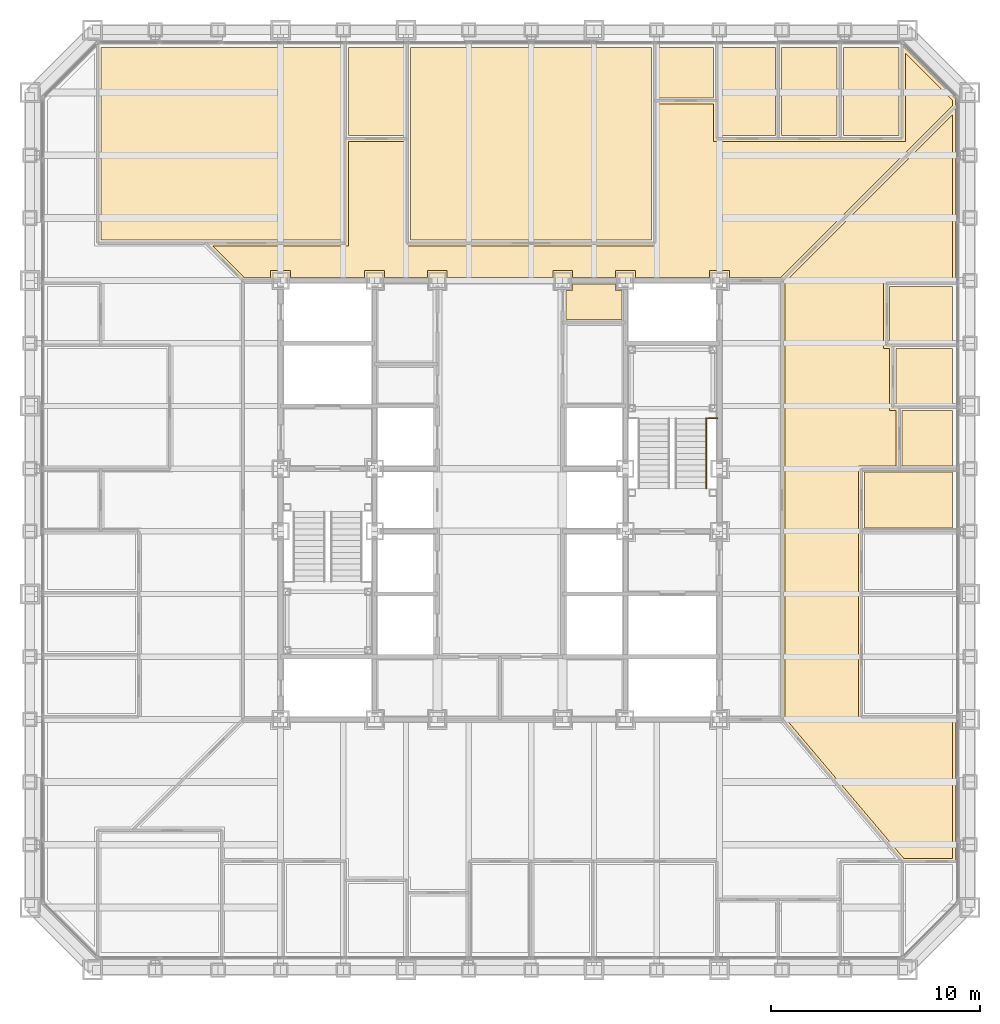
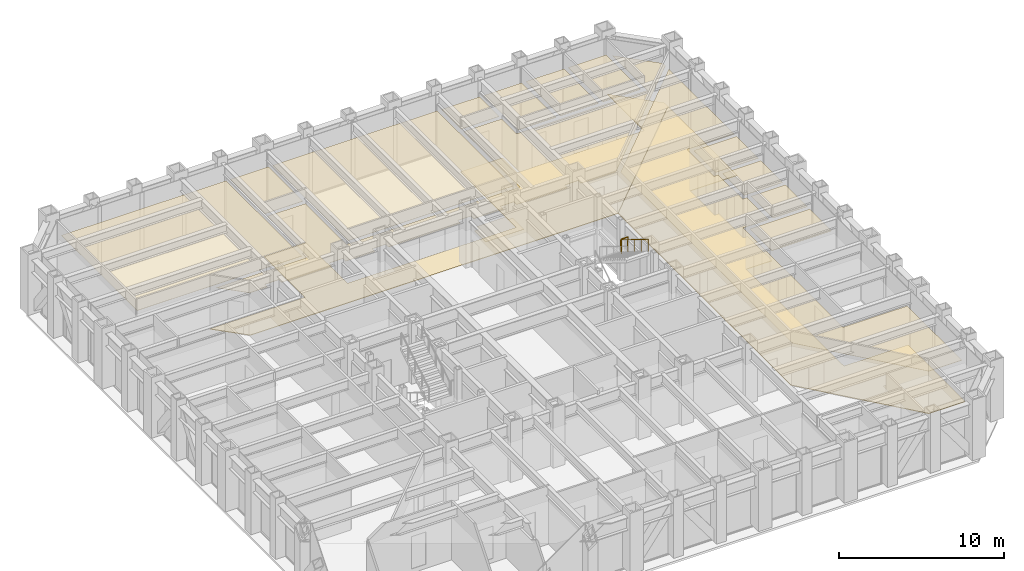
# One storey, part 16 of 16: 16 coverings, 2 railings.
"""IFC4 building model written with IfcOpenShell, lengths in metres."""

from ifc_helpers import new_model, si_unit, direction, frame, origin, origin_2d, place, context, subcontext, project, spatial, polyline, circle, outline, extrude, material, layer, layer_set, type_object, element, save


model = new_model("IFC4")

# Units and contexts
model_context = context("Model", 3, precision=1e-05, world=origin(), true_north=direction((0.0, 1.0)))
body_context = subcontext(model_context, "Body", "Model", "MODEL_VIEW")
ifc_project = project(units=[si_unit("LENGTHUNIT", "METRE"), si_unit("AREAUNIT", "SQUARE_METRE"), si_unit("VOLUMEUNIT", "CUBIC_METRE"), si_unit("PLANEANGLEUNIT", "RADIAN"), si_unit("MASSUNIT", "GRAM", prefix="KILO")], contexts=[model_context])

# Site, building, storey
site_placement = place(None, origin())
site = spatial("IfcSite", under=ifc_project, at=site_placement, CompositionType="ELEMENT")
building_placement = place(site_placement, origin())
building = spatial("IfcBuilding", under=site, at=building_placement, Name="Chuquiago Exchange Tower", CompositionType="ELEMENT")
storey_placement = place(building_placement, frame((0.0, 0.0, 28.800048828125)))
storey = spatial("IfcBuildingStorey", under=building, at=storey_placement, Name="L05", CompositionType="ELEMENT", Elevation=28.800048828125)

# Coverings
ifc_material_1 = material(Name="Mineral fibre tile, 600 x 600, on pale metal grid", Category="mineral fibre")
ifc_layer_1 = layer(ifc_material_1, 0.02001953125)
ifc_layer_set_1 = layer_set([ifc_layer_1], Name="CL1 suspended tile ceiling 20")
covering_type_1 = type_object("IfcCoveringType", Name="CL1 suspended tile ceiling 20", PredefinedType="CEILING", material=ifc_layer_set_1)
covering_1_placement = place(storey_placement, frame((0.0, 0.0, 3.0)))
element("IfcCovering", 1, at=covering_1_placement, inside=storey, type_object=covering_type_1, Name="Ceiling Office", PredefinedType="CEILING", context=body_context, shape_type="SweptSolid", body=[
    extrude(outline(polyline([(39.949951171875, 21.169189453125), (39.949951171875, 23.830810546875), (44.14990234375, 23.830810546875), (44.14990234375, 21.169189453125), (39.949951171875, 21.169189453125)])), origin(), (0.0, 0.0, 1.0), 0.02001953125),
])
covering_2_placement = place(storey_placement, frame((0.0, 0.0, 3.0)))
element("IfcCovering", 2, at=covering_2_placement, inside=storey, type_object=covering_type_1, Name="Ceiling Focus room", PredefinedType="CEILING", context=body_context, shape_type="SweptSolid", body=[
    extrude(outline(polyline([(41.75, 24.130859375), (41.75, 26.79248046875), (44.14990234375, 26.79248046875), (44.14990234375, 24.130859375), (41.75, 24.130859375)])), origin(), (0.0, 0.0, 1.0), 0.02001953125),
])
covering_3_placement = place(storey_placement, frame((0.0, 0.0, 3.0)))
element("IfcCovering", 3, at=covering_3_placement, inside=storey, type_object=covering_type_1, Name="Ceiling Store", PredefinedType="CEILING", context=body_context, shape_type="SweptSolid", body=[
    extrude(outline(polyline([(41.449951171875, 27.092529296875), (41.449951171875, 29.75439453125), (44.14990234375, 29.75439453125), (44.14990234375, 27.092529296875), (41.449951171875, 27.092529296875)])), origin(), (0.0, 0.0, 1.0), 0.02001953125),
])
covering_4_placement = place(storey_placement, frame((0.0, 0.0, 3.0)))
element("IfcCovering", 4, at=covering_4_placement, inside=storey, type_object=covering_type_1, Name="Ceiling Pantry", PredefinedType="CEILING", context=body_context, shape_type="SweptSolid", body=[
    extrude(outline(polyline([(41.14990234375, 30.054443359375), (41.14990234375, 32.71630859375), (44.14990234375, 32.71630859375), (44.14990234375, 30.054443359375), (41.14990234375, 30.054443359375)])), origin(), (0.0, 0.0, 1.0), 0.02001953125),
])
covering_5_placement = place(storey_placement, frame((0.0, 0.0, 3.0)))
element("IfcCovering", 5, at=covering_5_placement, inside=storey, type_object=covering_type_1, Name="Ceiling Trading room", PredefinedType="CEILING", context=body_context, shape_type="SweptSolid", body=[
    extrude(outline(polyline([(14.945556640625, 44.14990234375), (14.945556640625, 34.949951171875), (3.3984375, 34.949951171875), (3.3984375, 44.14990234375), (14.945556640625, 44.14990234375)])), origin(), (0.0, 0.0, 1.0), 0.02001953125),
])
covering_6_placement = place(storey_placement, frame((0.0, 0.0, 3.0)))
element("IfcCovering", 6, at=covering_6_placement, inside=storey, type_object=covering_type_1, Name="Ceiling Office", PredefinedType="CEILING", context=body_context, shape_type="SweptSolid", body=[
    extrude(outline(polyline([(17.907470703125, 39.949951171875), (15.24560546875, 39.949951171875), (15.24560546875, 44.14990234375), (17.907470703125, 44.14990234375), (17.907470703125, 39.949951171875)])), origin(), (0.0, 0.0, 1.0), 0.02001953125),
])
covering_7_placement = place(storey_placement, frame((0.0, 0.0, 3.0)))
element("IfcCovering", 7, at=covering_7_placement, inside=storey, type_object=covering_type_1, Name="Ceiling Trading room", PredefinedType="CEILING", context=body_context, shape_type="SweptSolid", body=[
    extrude(outline(polyline([(29.75439453125, 34.949951171875), (18.20751953125, 34.949951171875), (18.20751953125, 44.14990234375), (29.75439453125, 44.14990234375), (29.75439453125, 34.949951171875)])), origin(), (0.0, 0.0, 1.0), 0.02001953125),
])
covering_8_placement = place(storey_placement, frame((0.0, 0.0, 3.0)))
element("IfcCovering", 8, at=covering_8_placement, inside=storey, type_object=covering_type_1, Name="Ceiling Focus room", PredefinedType="CEILING", context=body_context, shape_type="SweptSolid", body=[
    extrude(outline(polyline([(32.71630859375, 41.75), (30.054443359375, 41.75), (30.054443359375, 44.14990234375), (32.71630859375, 44.14990234375), (32.71630859375, 41.75)])), origin(), (0.0, 0.0, 1.0), 0.02001953125),
])
covering_9_placement = place(storey_placement, frame((0.0, 0.0, 3.0)))
element("IfcCovering", 9, at=covering_9_placement, inside=storey, type_object=covering_type_1, Name="Ceiling Office", PredefinedType="CEILING", context=body_context, shape_type="SweptSolid", body=[
    extrude(outline(polyline([(35.677978515625, 39.949951171875), (33.01611328125, 39.949951171875), (33.01611328125, 44.14990234375), (35.677978515625, 44.14990234375), (35.677978515625, 39.949951171875)])), origin(), (0.0, 0.0, 1.0), 0.02001953125),
])
covering_10_placement = place(storey_placement, frame((0.0, 0.0, 3.0)))
element("IfcCovering", 10, at=covering_10_placement, inside=storey, type_object=covering_type_1, Name="Ceiling Office", PredefinedType="CEILING", context=body_context, shape_type="SweptSolid", body=[
    extrude(outline(polyline([(38.6396484375, 39.949951171875), (35.977783203125, 39.949951171875), (35.977783203125, 44.14990234375), (38.6396484375, 44.14990234375), (38.6396484375, 39.949951171875)])), origin(), (0.0, 0.0, 1.0), 0.02001953125),
])
covering_11_placement = place(storey_placement, frame((0.0, 0.0, 3.0)))
element("IfcCovering", 11, at=covering_11_placement, inside=storey, type_object=covering_type_1, Name="Ceiling Meeting room", PredefinedType="CEILING", context=body_context, shape_type="SweptSolid", body=[
    extrude(outline(polyline([(41.6015625, 39.949951171875), (38.939697265625, 39.949951171875), (38.939697265625, 44.14990234375), (41.6015625, 44.14990234375), (41.6015625, 39.949951171875)])), origin(), (0.0, 0.0, 1.0), 0.02001953125),
])
covering_12_placement = place(storey_placement, frame((0.0, 0.0, 3.0)))
element("IfcCovering", 12, at=covering_12_placement, inside=storey, type_object=covering_type_1, Name="Ceiling Trading floor north", PredefinedType="CEILING", context=body_context, shape_type="SweptSolid", body=[
    extrude(outline(polyline([(15.24560546875, 39.64990234375), (17.907470703125, 39.64990234375), (17.907470703125, 34.64990234375), (30.054443359375, 34.64990234375), (30.054443359375, 41.449951171875), (32.71630859375, 41.449951171875), (32.71630859375, 39.64990234375), (41.901611328125, 39.64990234375), (41.901611328125, 43.896484375), (44.14990234375, 41.64794921875), (44.14990234375, 41.36279296875), (35.9375, 33.14990234375), (33.47509765625, 33.14990234375), (33.47509765625, 33.47509765625), (32.52490234375, 33.47509765625), (32.52490234375, 33.14990234375), (28.97509765625, 33.14990234375), (28.97509765625, 33.47509765625), (28.02490234375, 33.47509765625), (28.02490234375, 33.14990234375), (25.97509765625, 33.14990234375), (25.97509765625, 33.47509765625), (25.02490234375, 33.47509765625), (25.02490234375, 33.14990234375), (19.97509765625, 33.14990234375), (19.97509765625, 33.47509765625), (19.02490234375, 33.47509765625), (19.02490234375, 33.14990234375), (16.97509765625, 33.14990234375), (16.97509765625, 33.47509765625), (16.02490234375, 33.47509765625), (16.02490234375, 33.14990234375), (12.47509765625, 33.14990234375), (12.47509765625, 33.47509765625), (11.52490234375, 33.47509765625), (11.52490234375, 33.14990234375), (10.2626953125, 33.14990234375), (8.7626953125, 34.64990234375), (15.24560546875, 34.64990234375), (15.24560546875, 39.64990234375)])), origin(), (0.0, 0.0, 1.0), 0.02001953125),
])
covering_13_placement = place(storey_placement, frame((0.0, 0.0, 3.0)))
element("IfcCovering", 13, at=covering_13_placement, inside=storey, type_object=covering_type_1, Name="Ceiling Trading floor east", PredefinedType="CEILING", context=body_context, shape_type="SweptSolid", body=[
    extrude(outline(polyline([(40.85009765625, 33.01611328125), (40.85009765625, 29.75439453125), (41.14990234375, 29.75439453125), (41.14990234375, 26.79248046875), (41.449951171875, 26.79248046875), (41.449951171875, 24.130859375), (39.64990234375, 24.130859375), (39.64990234375, 11.98388671875), (44.14990234375, 11.98388671875), (44.14990234375, 5.35009765625), (41.821533203125, 5.35009765625), (36.14990234375, 12.055419921875), (36.14990234375, 32.9375), (44.14990234375, 40.937255859375), (44.14990234375, 33.01611328125), (40.85009765625, 33.01611328125)])), origin(), (0.0, 0.0, 1.0), 0.02001953125),
])
ifc_material_2 = material(Name="Moisture resistant plasterboard on metal frame", Category="gypsum")
ifc_layer_2 = layer(ifc_material_2, 0.014892578125)
ifc_layer_set_2 = layer_set([ifc_layer_2], Name="CL2 moisture resistant ceiling 15")
covering_type_2 = type_object("IfcCoveringType", Name="CL2 moisture resistant ceiling 15", PredefinedType="CEILING", material=ifc_layer_set_2)
covering_14_placement = place(storey_placement, frame((0.0, 0.0, 2.599853515625)))
element("IfcCovering", 14, at=covering_14_placement, inside=storey, type_object=covering_type_2, Name="Ceiling Staff shower room", PredefinedType="CEILING", context=body_context, shape_type="SweptSolid", body=[
    extrude(outline(polyline([(25.64990234375, 31.14990234375), (25.64990234375, 32.52490234375), (25.97509765625, 32.52490234375), (25.97509765625, 32.85009765625), (28.02490234375, 32.85009765625), (28.02490234375, 32.52490234375), (28.35009765625, 32.52490234375), (28.35009765625, 31.14990234375), (25.64990234375, 31.14990234375)])), origin(), (0.0, 0.0, 1.0), 0.01513671875),
])

# Railings
ifc_material_3 = material(Name="Pale metal guard with safety glass infill", Category="glass")
railing_type_1 = type_object("IfcRailingType", Name="GR1 guard 1100", PredefinedType="GUARDRAIL", material=ifc_material_3)
railing_1_placement = place(storey_placement, frame((32.445068359375, 26.409912109375, 2.25)))
element("IfcRailing", 15, at=railing_1_placement, inside=storey, type_object=railing_type_1, Name="Guard ST2 L05 landing 2", PredefinedType="GUARDRAIL", context=body_context, shape_type="SweptSolid", body=[
    extrude(circle(Radius=0.02392578125, at=origin_2d()), frame((0.0, 0.0, 1.076171875), z_axis=(1.0, 0.0, 0.0), x_axis=(0.0, 1.0, 0.0)), (0.0, 0.0, 1.0), 0.454833984375),
    extrude(circle(Radius=0.02099609375, at=origin_2d()), origin(), (0.0, 0.0, 1.0), 1.052001953125),
    extrude(circle(Radius=0.02099609375, at=origin_2d()), frame((0.454833984375, 0.0, 0.0)), (0.0, 0.0, 1.0), 1.052001953125),
])
ifc_material_4 = material(Name="Pale metal handrail", Category="steel")
railing_type_2 = type_object("IfcRailingType", Name="HR1 handrail 900", PredefinedType="HANDRAIL", material=ifc_material_4)
railing_2_placement = place(storey_placement, frame((32.364990234375, 26.409912109375, 2.423095703125)))
element("IfcRailing", 16, at=railing_2_placement, inside=storey, type_object=railing_type_2, Name="Handrail ST2 L05 flight 2", PredefinedType="HANDRAIL", context=body_context, shape_type="SweptSolid", body=[
    extrude(circle(Radius=0.02392578125, at=origin_2d()), frame((0.0, 0.0, 0.8759765625), z_axis=(0.0, -0.850606129759, 0.525803396734), x_axis=(1.0, 0.0, 0.0)), (0.0, 0.0, 1.0), 3.949951171875),
    extrude(circle(Radius=0.02099609375, at=origin_2d()), origin(), (0.0, 0.0, 1.0), 0.851806640625),
    extrude(circle(Radius=0.02099609375, at=origin_2d()), frame((0.0, -0.83984375, 0.519287109375)), (0.0, 0.0, 1.0), 0.851806640625),
    extrude(circle(Radius=0.02099609375, at=origin_2d()), frame((0.0, -1.679931640625, 1.03857421875)), (0.0, 0.0, 1.0), 0.851806640625),
    extrude(circle(Radius=0.02099609375, at=origin_2d()), frame((0.0, -2.52001953125, 1.5576171875)), (0.0, 0.0, 1.0), 0.851806640625),
    extrude(circle(Radius=0.02099609375, at=origin_2d()), frame((0.0, -3.35986328125, 2.076904296875)), (0.0, 0.0, 1.0), 0.851806640625),
])

# Coverings
ifc_material_5 = material(Name="Steel raised floor panel", Category="steel")
ifc_layer_3 = layer(ifc_material_5, 0.0400390625)
ifc_layer_set_3 = layer_set([ifc_layer_3], Name="RF1 raised access floor 40")
covering_type_3 = type_object("IfcCoveringType", Name="RF1 raised access floor 40", PredefinedType="FLOORING", material=ifc_layer_set_3)
covering_15_placement = place(storey_placement, frame((0.0, 0.0, -0.0400390625)))
element("IfcCovering", 17, at=covering_15_placement, inside=storey, type_object=covering_type_3, Name="Raised access floor Trading floor north", PredefinedType="FLOORING", context=body_context, shape_type="SweptSolid", body=[
    extrude(outline(polyline([(15.095703125, 34.800048828125), (15.095703125, 39.800048828125), (18.057373046875, 39.800048828125), (18.057373046875, 34.800048828125), (29.904296875, 34.800048828125), (29.904296875, 41.60009765625), (32.8662109375, 41.60009765625), (32.8662109375, 39.800048828125), (41.75146484375, 39.800048828125), (41.75146484375, 44.258544921875), (44.300048828125, 41.710205078125), (44.300048828125, 41.30078125), (35.99951171875, 33.0), (10.200439453125, 33.0), (8.400634765625, 34.800048828125), (15.095703125, 34.800048828125)])), origin(), (0.0, 0.0, 1.0), 0.0400390625),
])
covering_16_placement = place(storey_placement, frame((0.0, 0.0, -0.0400390625)))
element("IfcCovering", 18, at=covering_16_placement, inside=storey, type_object=covering_type_3, Name="Raised access floor Trading floor east", PredefinedType="FLOORING", context=body_context, shape_type="SweptSolid", body=[
    extrude(outline(polyline([(44.300048828125, 32.8662109375), (41.0, 32.8662109375), (41.0, 29.904296875), (41.300048828125, 29.904296875), (41.300048828125, 26.942626953125), (41.60009765625, 26.942626953125), (41.60009765625, 23.98095703125), (39.800048828125, 23.98095703125), (39.800048828125, 12.1337890625), (44.300048828125, 12.1337890625), (44.300048828125, 5.199951171875), (41.751953125, 5.199951171875), (36.0, 12.00048828125), (36.0, 32.99951171875), (44.300048828125, 41.29931640625), (44.300048828125, 32.8662109375)])), origin(), (0.0, 0.0, 1.0), 0.0400390625),
])

save(model, "model.ifc")
